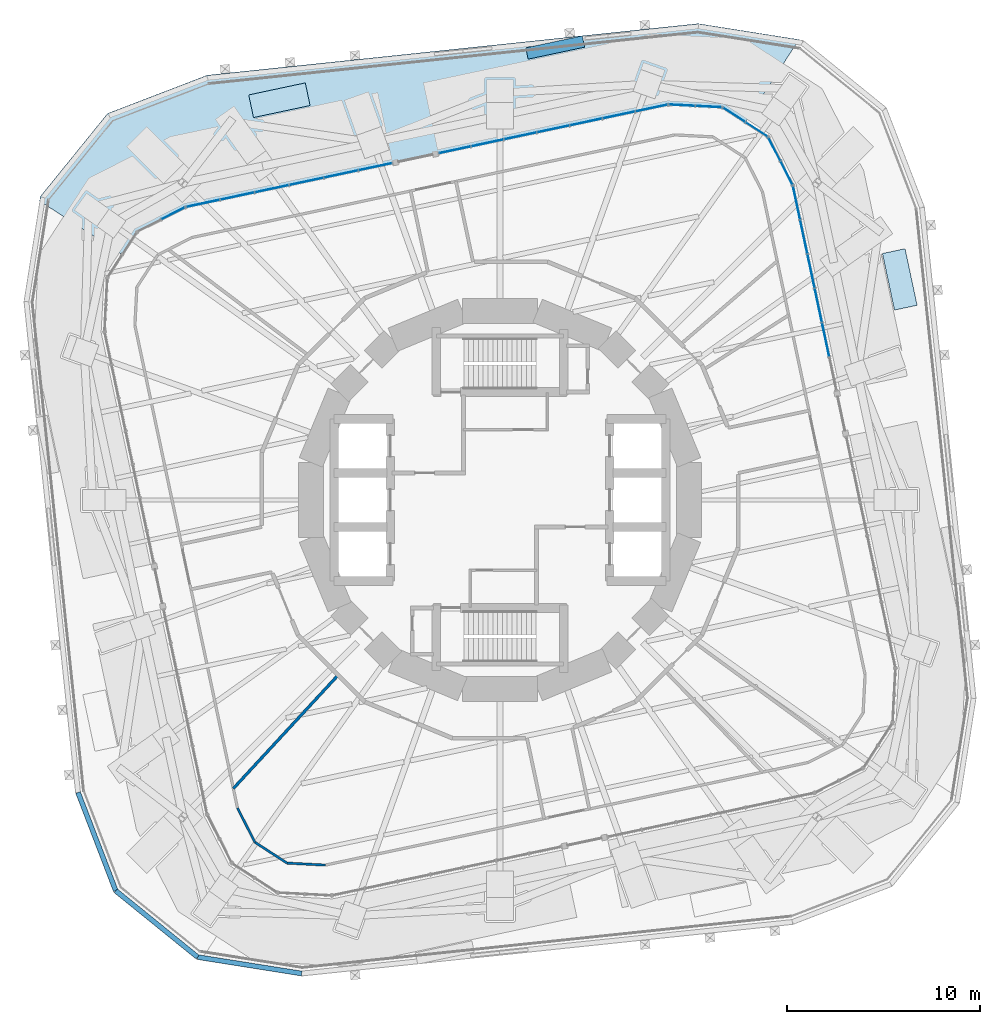
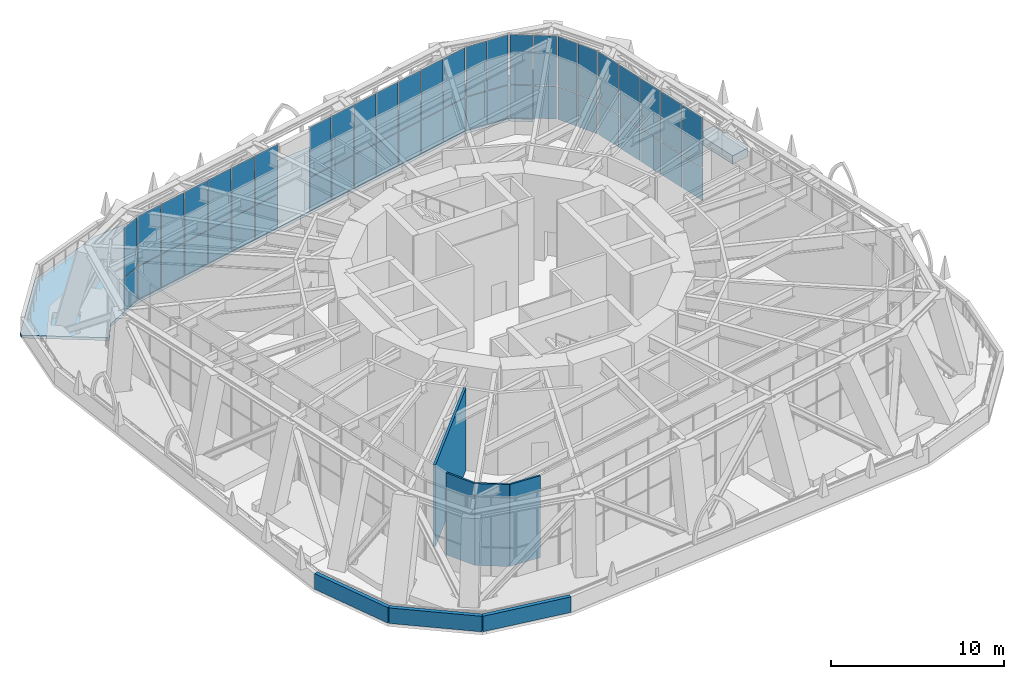
# One storey, part 14 of 23: 53 plates, 7 walls, 1 slab, 7 elements without a shape of their own.
"""IFC4 building model written with IfcOpenShell, lengths in metres."""

import ifcopenshell
import ifcopenshell.guid

model = None  # the IFC model being written
_history = None  # IfcOwnerHistory: only IFC2X3 demands one
_inside = {}  # id of a spatial element -> (the spatial element, [elements in it])
_under = {}  # id of a project, library or spatial element -> (it, [spatial elements below it])
_declared = {}  # id of a project -> (the project, [libraries it declares])
_typed = {}  # id of a type object -> (the type object, [elements of that type])
_made_of = {}  # id of a material, layer set ... -> (it, [elements and type objects made of it])


def new_model(schema):
    """Start an empty IFC model of exactly this schema.

    Asked for "IFC4X3", IfcOpenShell would pick the latest addendum, in which some entities
    have other attributes; the version numbers below select the first issue.
    IFC2X3 requires an IfcOwnerHistory on every rooted entity: one is made here for all.
    """
    global model, _history
    if schema == "IFC4X3":
        model = ifcopenshell.file(schema_version=(4, 3, 0, 0))
    else:
        model = ifcopenshell.file(schema=schema)
    _inside.clear()
    _under.clear()
    _declared.clear()
    _typed.clear()
    _made_of.clear()
    _history = None
    if model.schema == "IFC2X3":
        org = make("IfcOrganization", Name="unknown")
        user = make(
            "IfcPersonAndOrganization",
            ThePerson=make("IfcPerson", FamilyName="unknown"),
            TheOrganization=org,
        )
        app = make(
            "IfcApplication",
            ApplicationDeveloper=org,
            Version="unknown",
            ApplicationFullName="unknown",
            ApplicationIdentifier="unknown",
        )
        _history = make(
            "IfcOwnerHistory",
            OwningUser=user,
            OwningApplication=app,
            ChangeAction="ADDED",
            CreationDate=0,
        )
    return model


def make(cls, **values):
    """One entity of the class cls with the attributes given. An attribute that is None is left unset."""
    return model.create_entity(
        cls, **{name: value for name, value in values.items() if value is not None}
    )


def rooted(cls, **values):
    """An entity with a GlobalId (a new one), such as an element, a storey or a relation."""
    return make(cls, GlobalId=ifcopenshell.guid.new(), OwnerHistory=_history, **values)


def si_unit(unit_type, name, prefix=None):
    """IfcSIUnit, for example si_unit("LENGTHUNIT", "METRE", prefix="MILLI")."""
    return make("IfcSIUnit", UnitType=unit_type, Prefix=prefix, Name=name)


def assignment(units):
    """IfcUnitAssignment: the units of a project."""
    return None if units is None else make("IfcUnitAssignment", Units=units)


def point(xyz):
    """IfcCartesianPoint."""
    return None if xyz is None else make("IfcCartesianPoint", Coordinates=xyz)


def direction(xyz):
    """IfcDirection."""
    return None if xyz is None else make("IfcDirection", DirectionRatios=xyz)


def frame(location, z_axis=None, x_axis=None):
    """IfcAxis2Placement3D, a coordinate frame: its origin and axes. An axis left out is left unset."""
    return make(
        "IfcAxis2Placement3D",
        Location=point(location),
        Axis=direction(z_axis),
        RefDirection=direction(x_axis),
    )


def frame_2d(location, x_axis=None):
    """IfcAxis2Placement2D, a coordinate frame in the plane: its origin and x axis."""
    return make(
        "IfcAxis2Placement2D", Location=point(location), RefDirection=direction(x_axis)
    )


def origin():
    """The frame at (0, 0, 0) with its axes left unset."""
    return frame((0.0, 0.0, 0.0))


def origin_2d():
    """The frame at (0, 0) in the plane with its x axis left unset."""
    return frame_2d((0.0, 0.0))


def place(relative_to, where):
    """IfcLocalPlacement: puts the frame where relative to a parent placement (None: the world)."""
    return make(
        "IfcLocalPlacement", PlacementRelTo=relative_to, RelativePlacement=where
    )


def context(
    kind, dimensions, precision=None, world=None, true_north=None, identifier=None
):
    """IfcGeometricRepresentationContext, for example the 3D "Model" context."""
    return make(
        "IfcGeometricRepresentationContext",
        ContextIdentifier=identifier,
        ContextType=kind,
        CoordinateSpaceDimension=dimensions,
        Precision=precision,
        WorldCoordinateSystem=world,
        TrueNorth=true_north,
    )


def subcontext(parent, identifier, kind, view, scale=None):
    """IfcGeometricRepresentationSubContext, for example "Body" below "Model"."""
    return make(
        "IfcGeometricRepresentationSubContext",
        ContextIdentifier=identifier,
        ContextType=kind,
        ParentContext=parent,
        TargetScale=scale,
        TargetView=view,
    )


def project(units=None, contexts=None):
    """IfcProject with its units and contexts."""
    return rooted(
        "IfcProject",
        Name="project",
        RepresentationContexts=contexts,
        UnitsInContext=assignment(units),
    )


def spatial(cls, under=None, at=None, **own):
    """A site, building, storey or space (cls), placed at a placement, below another one or the project."""
    s = rooted(cls, ObjectPlacement=at, **own)
    if under is not None:
        _under.setdefault(under.id(), (under, []))[1].append(s)
    return s


def polyline(points):
    """IfcPolyline through the points."""
    return make("IfcPolyline", Points=[point(p) for p in points])


def profile(cls, at=None, kind="AREA", **sizes):
    """A parametric profile (cls). Its sizes go by their IFC names, for example OverallWidth=200.0."""
    return make(cls, ProfileType=kind, Position=at, **sizes)


def rectangle(**sizes):
    """IfcRectangleProfileDef."""
    return profile("IfcRectangleProfileDef", **sizes)


def outline(outer, holes=None, kind="AREA"):
    """IfcArbitraryClosedProfileDef: a profile drawn as a closed curve; with holes, ...WithVoids."""
    if holes is None:
        return make("IfcArbitraryClosedProfileDef", ProfileType=kind, OuterCurve=outer)
    return make(
        "IfcArbitraryProfileDefWithVoids",
        ProfileType=kind,
        OuterCurve=outer,
        InnerCurves=holes,
    )


def extrude(swept, where, along, depth):
    """IfcExtrudedAreaSolid: the profile swept, set in the frame where, extruded along a direction by depth."""
    return make(
        "IfcExtrudedAreaSolid",
        SweptArea=swept,
        Position=where,
        ExtrudedDirection=direction(along),
        Depth=depth,
    )


def shape(context_of_items, identifier, shape_type, items):
    """IfcShapeRepresentation: the items that make up one representation, for example the "Body"."""
    return make(
        "IfcShapeRepresentation",
        ContextOfItems=context_of_items,
        RepresentationIdentifier=identifier,
        RepresentationType=shape_type,
        Items=items,
    )


def material(Name=None, Category=None):
    """IfcMaterial."""
    return make("IfcMaterial", Name=Name, Category=Category)


def layer(
    of_material, thickness, ventilated=None, Name=None, Category=None, Priority=None
):
    """IfcMaterialLayer: one layer of a wall or slab, of a material (None: an air gap)."""
    return make(
        "IfcMaterialLayer",
        Material=of_material,
        LayerThickness=thickness,
        IsVentilated=ventilated,
        Name=Name,
        Category=Category,
        Priority=Priority,
    )


def layer_set(layers, Name=None):
    """IfcMaterialLayerSet."""
    return make("IfcMaterialLayerSet", MaterialLayers=layers, LayerSetName=Name)


def made_of(thing, what):
    """Note that an element or type object is made of a material, layer set ...; save() writes the relation."""
    if what is not None:
        _made_of.setdefault(what.id(), (what, []))[1].append(thing)
    return thing


def type_object(cls, material=None, **own):
    """A type object (cls), such as IfcWallType, which elements share."""
    return made_of(rooted(cls, **own), material)


def element(
    cls,
    number,
    at=None,
    inside=None,
    cuts=None,
    type_object=None,
    material=None,
    context=None,
    identifier="Body",
    shape_type=None,
    held_by="IfcProductDefinitionShape",
    body=None,
    shapes=None,
    **own,
):
    """One element of the class cls, such as IfcWall. Its Tag is "e" and its number.

    at: its placement. inside: the storey or other place that contains it. cuts: it is an
    opening in that element (IfcRelVoidsElement). A single representation is given by context,
    identifier, shape_type and body (its items); several are given by shapes. held_by: the class
    of the entity that holds the representations. save() writes the other relations.
    """
    e = rooted(cls, Tag="e%d" % number, ObjectPlacement=at, **own)
    if body is not None:
        shapes = [shape(context, identifier, shape_type, body)]
    if shapes is not None:
        e.Representation = make(held_by, Representations=shapes)
    if inside is not None:
        _inside.setdefault(inside.id(), (inside, []))[1].append(e)
    if cuts is not None:
        rooted(
            "IfcRelVoidsElement", RelatingBuildingElement=cuts, RelatedOpeningElement=e
        )
    if type_object is not None:
        _typed.setdefault(type_object.id(), (type_object, []))[1].append(e)
    return made_of(e, material)


def aggregate(whole, parts):
    """IfcRelAggregates: a whole, such as a stair, and the parts it consists of."""
    return rooted("IfcRelAggregates", RelatingObject=whole, RelatedObjects=parts)


def save(model, path):
    """Write the relations noted so far, then the file.

    IfcRelAggregates (storeys below a building ...), IfcRelContainedInSpatialStructure (elements
    in a storey), IfcRelDefinesByType, IfcRelAssociatesMaterial and IfcRelDeclares: one each for
    every whole, place, type object, material and project.
    """
    for whole, parts in _under.values():
        aggregate(whole, parts)
    for where, things in _inside.values():
        rooted(
            "IfcRelContainedInSpatialStructure",
            RelatedElements=things,
            RelatingStructure=where,
        )
    for kind, things in _typed.values():
        rooted("IfcRelDefinesByType", RelatedObjects=things, RelatingType=kind)
    for what, things in _made_of.values():
        rooted("IfcRelAssociatesMaterial", RelatedObjects=things, RelatingMaterial=what)
    for by, libraries in _declared.values():
        rooted("IfcRelDeclares", RelatingContext=by, RelatedDefinitions=libraries)
    model.write(path)


model = new_model("IFC4")

# Units and contexts
model_context = context("Model", 3, precision=1e-05, world=origin(), true_north=direction((0.0, 1.0)))
body_context = subcontext(model_context, "Body", "Model", "MODEL_VIEW")
ifc_project = project(units=[si_unit("LENGTHUNIT", "METRE"), si_unit("AREAUNIT", "SQUARE_METRE"), si_unit("VOLUMEUNIT", "CUBIC_METRE"), si_unit("PLANEANGLEUNIT", "RADIAN"), si_unit("MASSUNIT", "GRAM", prefix="KILO")], contexts=[model_context])

# Site, building, storey
site_placement = place(None, origin())
site = spatial("IfcSite", under=ifc_project, at=site_placement, CompositionType="ELEMENT")
building_placement = place(site_placement, origin())
building = spatial("IfcBuilding", under=site, at=building_placement, Name="Nakasero Lantern House", CompositionType="ELEMENT")
storey_placement = place(building_placement, frame((0.0, 0.0, 95.14990234375)))
storey = spatial("IfcBuildingStorey", under=building, at=storey_placement, Name="L23", CompositionType="ELEMENT", Elevation=95.14990234375)

# Curtain wall, plates
ifc_material_1 = material(Name="Aluminium 6063-T6 and glass", Category="aluminium")
curtain_wall_type = type_object("IfcCurtainWallType", Name="Sky lounge glazing CW-3", PredefinedType="USERDEFINED", material=ifc_material_1)
curtain_wall_1_placement = place(storey_placement, origin())
curtain_wall_1 = element("IfcCurtainWall", 1, at=curtain_wall_1_placement, inside=storey, type_object=curtain_wall_type, Name="Curtain wall CW-3 L23", ObjectType="STICK CURTAIN WALL", PredefinedType="USERDEFINED")
ifc_material_2 = material(Name="Glass", Category="glass")
ifc_layer_1 = layer(ifc_material_2, 0.028076171875)
ifc_layer_set_1 = layer_set([ifc_layer_1], Name="Glazed panel CW-3")
plate_type_1 = type_object("IfcPlateType", Name="Glazed panel CW-3", PredefinedType="CURTAIN_PANEL", material=ifc_layer_set_1)
plate_1_placement = place(storey_placement, frame((16.8896484375, 8.318359375, 0.06005859375), z_axis=(0.0, 0.0, 1.0), x_axis=(-0.207911690818, 0.978147600734, 0.0)))
plate_1 = element("IfcPlate", 2, at=plate_1_placement, type_object=plate_type_1, Name="CW-3 panel 2.1", PredefinedType="CURTAIN_PANEL", context=body_context, shape_type="SweptSolid", body=[
    extrude(rectangle(XDim=1.756591796875, YDim=0.028076171875, at=origin_2d()), origin(), (0.0, 0.0, 1.0), 2.31005859375),
])
plate_2_placement = place(storey_placement, frame((16.8896484375, 8.318359375, 2.43017578125), z_axis=(0.0, 0.0, 1.0), x_axis=(-0.207911690818, 0.978147600734, 0.0)))
plate_2 = element("IfcPlate", 3, at=plate_2_placement, type_object=plate_type_1, Name="CW-3 panel 2.2", PredefinedType="CURTAIN_PANEL", context=body_context, shape_type="SweptSolid", body=[
    extrude(rectangle(XDim=1.756591796875, YDim=0.028076171875, at=origin_2d()), origin(), (0.0, 0.0, 1.0), 3.510009765625),
])
plate_3_placement = place(storey_placement, frame((16.511962890625, 10.09521484375, 0.06005859375), z_axis=(0.0, 0.0, 1.0), x_axis=(-0.207911690818, 0.978147600734, 0.0)))
plate_3 = element("IfcPlate", 4, at=plate_3_placement, type_object=plate_type_1, Name="CW-3 panel 3.1", PredefinedType="CURTAIN_PANEL", context=body_context, shape_type="SweptSolid", body=[
    extrude(rectangle(XDim=1.756591796875, YDim=0.028076171875, at=origin_2d()), origin(), (0.0, 0.0, 1.0), 2.31005859375),
])
plate_4_placement = place(storey_placement, frame((16.511962890625, 10.09521484375, 2.43017578125), z_axis=(0.0, 0.0, 1.0), x_axis=(-0.207911690818, 0.978147600734, 0.0)))
plate_4 = element("IfcPlate", 5, at=plate_4_placement, type_object=plate_type_1, Name="CW-3 panel 3.2", PredefinedType="CURTAIN_PANEL", context=body_context, shape_type="SweptSolid", body=[
    extrude(rectangle(XDim=1.756591796875, YDim=0.028076171875, at=origin_2d()), origin(), (0.0, 0.0, 1.0), 3.510009765625),
])
plate_5_placement = place(storey_placement, frame((15.756591796875, 13.649169921875, 0.06005859375), z_axis=(0.0, 0.0, 1.0), x_axis=(-0.207911690818, 0.978147600734, 0.0)))
plate_5 = element("IfcPlate", 6, at=plate_5_placement, type_object=plate_type_1, Name="CW-3 panel 5.1", PredefinedType="CURTAIN_PANEL", context=body_context, shape_type="SweptSolid", body=[
    extrude(rectangle(XDim=1.756591796875, YDim=0.028076171875, at=origin_2d()), origin(), (0.0, 0.0, 1.0), 2.31005859375),
])
plate_6_placement = place(storey_placement, frame((15.756591796875, 13.649169921875, 2.43017578125), z_axis=(0.0, 0.0, 1.0), x_axis=(-0.207911690818, 0.978147600734, 0.0)))
plate_6 = element("IfcPlate", 7, at=plate_6_placement, type_object=plate_type_1, Name="CW-3 panel 5.2", PredefinedType="CURTAIN_PANEL", context=body_context, shape_type="SweptSolid", body=[
    extrude(rectangle(XDim=1.756591796875, YDim=0.028076171875, at=origin_2d()), origin(), (0.0, 0.0, 1.0), 3.510009765625),
])

curtain_wall_2_placement = place(storey_placement, origin())
curtain_wall_2 = element("IfcCurtainWall", 8, at=curtain_wall_2_placement, inside=storey, type_object=curtain_wall_type, Name="Curtain wall CW-3 L23", ObjectType="STICK CURTAIN WALL", PredefinedType="USERDEFINED")
plate_7_placement = place(storey_placement, frame((2.75927734375, 19.244140625, 0.06005859375), z_axis=(0.0, 0.0, 1.0), x_axis=(-0.978147600734, -0.207911690818, 0.0)))
plate_7 = element("IfcPlate", 9, at=plate_7_placement, type_object=plate_type_1, Name="CW-3 panel 4.1", PredefinedType="CURTAIN_PANEL", context=body_context, shape_type="SweptSolid", body=[
    extrude(rectangle(XDim=1.682861328125, YDim=0.028076171875, at=origin_2d()), origin(), (0.0, 0.0, 1.0), 2.31005859375),
])
plate_8_placement = place(storey_placement, frame((2.75927734375, 19.244140625, 2.43017578125), z_axis=(0.0, 0.0, 1.0), x_axis=(-0.978147600734, -0.207911690818, 0.0)))
plate_8 = element("IfcPlate", 10, at=plate_8_placement, type_object=plate_type_1, Name="CW-3 panel 4.2", PredefinedType="CURTAIN_PANEL", context=body_context, shape_type="SweptSolid", body=[
    extrude(rectangle(XDim=1.682861328125, YDim=0.028076171875, at=origin_2d()), origin(), (0.0, 0.0, 1.0), 3.510009765625),
])
plate_9_placement = place(storey_placement, frame((-2.34033203125, 18.16015625, 0.06005859375), z_axis=(0.0, 0.0, 1.0), x_axis=(-0.978147600734, -0.207911690818, 0.0)))
plate_9 = element("IfcPlate", 11, at=plate_9_placement, type_object=plate_type_1, Name="CW-3 panel 7.1", PredefinedType="CURTAIN_PANEL", context=body_context, shape_type="SweptSolid", body=[
    extrude(rectangle(XDim=1.65283203125, YDim=0.028076171875, at=origin_2d()), origin(), (0.0, 0.0, 1.0), 2.31005859375),
])
plate_10_placement = place(storey_placement, frame((-2.34033203125, 18.16015625, 2.43017578125), z_axis=(0.0, 0.0, 1.0), x_axis=(-0.978147600734, -0.207911690818, 0.0)))
plate_10 = element("IfcPlate", 12, at=plate_10_placement, type_object=plate_type_1, Name="CW-3 panel 7.2", PredefinedType="CURTAIN_PANEL", context=body_context, shape_type="SweptSolid", body=[
    extrude(rectangle(XDim=1.65283203125, YDim=0.028076171875, at=origin_2d()), origin(), (0.0, 0.0, 1.0), 3.510009765625),
])

curtain_wall_3_placement = place(storey_placement, origin())
curtain_wall_3 = element("IfcCurtainWall", 13, at=curtain_wall_3_placement, inside=storey, type_object=curtain_wall_type, Name="Curtain wall CW-3 L23", ObjectType="STICK CURTAIN WALL", PredefinedType="USERDEFINED")
plate_11_placement = place(storey_placement, frame((-8.244873046875, 16.9052734375, 0.06005859375), z_axis=(0.0, 0.0, 1.0), x_axis=(-0.978147600734, -0.207911690818, 0.0)))
plate_11 = element("IfcPlate", 14, at=plate_11_placement, type_object=plate_type_1, Name="CW-3 panel 2.1", PredefinedType="CURTAIN_PANEL", context=body_context, shape_type="SweptSolid", body=[
    extrude(rectangle(XDim=1.7734375, YDim=0.028076171875, at=origin_2d()), origin(), (0.0, 0.0, 1.0), 2.31005859375),
])
plate_12_placement = place(storey_placement, frame((-8.244873046875, 16.9052734375, 2.43017578125), z_axis=(0.0, 0.0, 1.0), x_axis=(-0.978147600734, -0.207911690818, 0.0)))
plate_12 = element("IfcPlate", 15, at=plate_12_placement, type_object=plate_type_1, Name="CW-3 panel 2.2", PredefinedType="CURTAIN_PANEL", context=body_context, shape_type="SweptSolid", body=[
    extrude(rectangle(XDim=1.7734375, YDim=0.028076171875, at=origin_2d()), origin(), (0.0, 0.0, 1.0), 3.510009765625),
])
plate_13_placement = place(storey_placement, frame((-10.038330078125, 16.52392578125, 0.06005859375), z_axis=(0.0, 0.0, 1.0), x_axis=(-0.978147600734, -0.207911690818, 0.0)))
plate_13 = element("IfcPlate", 16, at=plate_13_placement, type_object=plate_type_1, Name="CW-3 panel 3.1", PredefinedType="CURTAIN_PANEL", context=body_context, shape_type="SweptSolid", body=[
    extrude(rectangle(XDim=1.7734375, YDim=0.028076171875, at=origin_2d()), origin(), (0.0, 0.0, 1.0), 2.31005859375),
])
plate_14_placement = place(storey_placement, frame((-10.038330078125, 16.52392578125, 2.43017578125), z_axis=(0.0, 0.0, 1.0), x_axis=(-0.978147600734, -0.207911690818, 0.0)))
plate_14 = element("IfcPlate", 17, at=plate_14_placement, type_object=plate_type_1, Name="CW-3 panel 3.2", PredefinedType="CURTAIN_PANEL", context=body_context, shape_type="SweptSolid", body=[
    extrude(rectangle(XDim=1.7734375, YDim=0.028076171875, at=origin_2d()), origin(), (0.0, 0.0, 1.0), 3.510009765625),
])
plate_15_placement = place(storey_placement, frame((-13.624755859375, 15.76171875, 0.06005859375), z_axis=(0.0, 0.0, 1.0), x_axis=(-0.978147600734, -0.207911690818, 0.0)))
plate_15 = element("IfcPlate", 18, at=plate_15_placement, type_object=plate_type_1, Name="CW-3 panel 5.1", PredefinedType="CURTAIN_PANEL", context=body_context, shape_type="SweptSolid", body=[
    extrude(rectangle(XDim=1.7734375, YDim=0.028076171875, at=origin_2d()), origin(), (0.0, 0.0, 1.0), 2.31005859375),
])
plate_16_placement = place(storey_placement, frame((-13.624755859375, 15.76171875, 2.43017578125), z_axis=(0.0, 0.0, 1.0), x_axis=(-0.978147600734, -0.207911690818, 0.0)))
plate_16 = element("IfcPlate", 19, at=plate_16_placement, type_object=plate_type_1, Name="CW-3 panel 5.2", PredefinedType="CURTAIN_PANEL", context=body_context, shape_type="SweptSolid", body=[
    extrude(rectangle(XDim=1.7734375, YDim=0.028076171875, at=origin_2d()), origin(), (0.0, 0.0, 1.0), 3.510009765625),
])

# Plate
ifc_material_3 = material(Name="Aluminium 6063-T6 and insulation", Category="aluminium")
ifc_layer_2 = layer(ifc_material_3, 0.028076171875)
ifc_layer_set_2 = layer_set([ifc_layer_2], Name="Insulated panel CW-3")
plate_type_2 = type_object("IfcPlateType", Name="Insulated panel CW-3", PredefinedType="CURTAIN_PANEL", material=ifc_layer_set_2)
plate_17_placement = place(storey_placement, frame((16.13427734375, 11.872314453125, 0.06005859375), z_axis=(0.0, 0.0, 1.0), x_axis=(-0.207911690818, 0.978147600734, 0.0)))
plate_17 = element("IfcPlate", 20, at=plate_17_placement, type_object=plate_type_2, Name="CW-3 panel 4.1", PredefinedType="CURTAIN_PANEL", context=body_context, shape_type="SweptSolid", body=[
    extrude(rectangle(XDim=1.756591796875, YDim=0.028076171875, at=origin_2d()), origin(), (0.0, 0.0, 1.0), 2.31005859375),
])

plate_18_placement = place(storey_placement, frame((16.13427734375, 11.872314453125, 2.43017578125), z_axis=(0.0, 0.0, 1.0), x_axis=(-0.207911690818, 0.978147600734, 0.0)))
plate_18 = element("IfcPlate", 21, at=plate_18_placement, type_object=plate_type_2, Name="CW-3 panel 4.2", PredefinedType="CURTAIN_PANEL", context=body_context, shape_type="SweptSolid", body=[
    extrude(rectangle(XDim=1.756591796875, YDim=0.028076171875, at=origin_2d()), origin(), (0.0, 0.0, 1.0), 3.510009765625),
])

plate_19_placement = place(storey_placement, frame((15.3818359375, 15.41162109375, 0.06005859375), z_axis=(0.0, 0.0, 1.0), x_axis=(-0.207911690818, 0.978147600734, 0.0)))
plate_19 = element("IfcPlate", 22, at=plate_19_placement, type_object=plate_type_2, Name="CW-3 panel 6.1", PredefinedType="CURTAIN_PANEL", context=body_context, shape_type="SweptSolid", body=[
    extrude(rectangle(XDim=1.7265625, YDim=0.028076171875, at=origin_2d()), origin(), (0.0, 0.0, 1.0), 2.31005859375),
])

plate_20_placement = place(storey_placement, frame((15.3818359375, 15.41162109375, 2.43017578125), z_axis=(0.0, 0.0, 1.0), x_axis=(-0.207911690818, 0.978147600734, 0.0)))
plate_20 = element("IfcPlate", 23, at=plate_20_placement, type_object=plate_type_2, Name="CW-3 panel 6.2", PredefinedType="CURTAIN_PANEL", context=body_context, shape_type="SweptSolid", body=[
    extrude(rectangle(XDim=1.7265625, YDim=0.028076171875, at=origin_2d()), origin(), (0.0, 0.0, 1.0), 3.510009765625),
])

aggregate(curtain_wall_1, [plate_1, plate_2, plate_3, plate_4, plate_17, plate_18, plate_5, plate_6, plate_19, plate_20])

# Curtain wall, plates
curtain_wall_4_placement = place(storey_placement, origin())
curtain_wall_4 = element("IfcCurtainWall", 24, at=curtain_wall_4_placement, inside=storey, type_object=curtain_wall_type, Name="Curtain wall CW-3 L23", ObjectType="STICK CURTAIN WALL", PredefinedType="USERDEFINED")
plate_21_placement = place(storey_placement, frame((14.863037109375, 16.95654296875, 0.06005859375), z_axis=(0.0, 0.0, 1.0), x_axis=(-0.453990499662, 0.891006524228, 0.0)))
plate_21 = element("IfcPlate", 25, at=plate_21_placement, type_object=plate_type_2, Name="CW-3 panel 1.1", PredefinedType="CURTAIN_PANEL", context=body_context, shape_type="SweptSolid", body=[
    extrude(rectangle(XDim=1.320556640625, YDim=0.028076171875, at=origin_2d()), origin(), (0.0, 0.0, 1.0), 2.31005859375),
])
plate_22_placement = place(storey_placement, frame((14.863037109375, 16.95654296875, 2.43017578125), z_axis=(0.0, 0.0, 1.0), x_axis=(-0.453990499662, 0.891006524228, 0.0)))
plate_22 = element("IfcPlate", 26, at=plate_22_placement, type_object=plate_type_2, Name="CW-3 panel 1.2", PredefinedType="CURTAIN_PANEL", context=body_context, shape_type="SweptSolid", body=[
    extrude(rectangle(XDim=1.320556640625, YDim=0.028076171875, at=origin_2d()), origin(), (0.0, 0.0, 1.0), 3.510009765625),
])
plate_23_placement = place(storey_placement, frame((14.236083984375, 18.1865234375, 0.06005859375), z_axis=(0.0, 0.0, 1.0), x_axis=(-0.453990499662, 0.891006524228, 0.0)))
plate_23 = element("IfcPlate", 27, at=plate_23_placement, type_object=plate_type_2, Name="CW-3 panel 2.1", PredefinedType="CURTAIN_PANEL", context=body_context, shape_type="SweptSolid", body=[
    extrude(rectangle(XDim=1.320556640625, YDim=0.028076171875, at=origin_2d()), origin(), (0.0, 0.0, 1.0), 2.31005859375),
])
plate_24_placement = place(storey_placement, frame((14.236083984375, 18.1865234375, 2.43017578125), z_axis=(0.0, 0.0, 1.0), x_axis=(-0.453990499662, 0.891006524228, 0.0)))
plate_24 = element("IfcPlate", 28, at=plate_24_placement, type_object=plate_type_2, Name="CW-3 panel 2.2", PredefinedType="CURTAIN_PANEL", context=body_context, shape_type="SweptSolid", body=[
    extrude(rectangle(XDim=1.320556640625, YDim=0.028076171875, at=origin_2d()), origin(), (0.0, 0.0, 1.0), 3.510009765625),
])
aggregate(curtain_wall_4, [plate_21, plate_22, plate_23, plate_24])

curtain_wall_5_placement = place(storey_placement, origin())
curtain_wall_5 = element("IfcCurtainWall", 29, at=curtain_wall_5_placement, inside=storey, type_object=curtain_wall_type, Name="Curtain wall CW-3 L23", ObjectType="STICK CURTAIN WALL", PredefinedType="USERDEFINED")
plate_25_placement = place(storey_placement, frame((13.30517578125, 19.220703125, 0.06005859375), z_axis=(0.0, 0.0, 1.0), x_axis=(-0.838670568021, 0.544639034898, 0.0)))
plate_25 = element("IfcPlate", 30, at=plate_25_placement, type_object=plate_type_2, Name="CW-3 panel 1.1", PredefinedType="CURTAIN_PANEL", context=body_context, shape_type="SweptSolid", body=[
    extrude(rectangle(XDim=1.320556640625, YDim=0.028076171875, at=origin_2d()), origin(), (0.0, 0.0, 1.0), 2.31005859375),
])
plate_26_placement = place(storey_placement, frame((13.30517578125, 19.220703125, 2.43017578125), z_axis=(0.0, 0.0, 1.0), x_axis=(-0.838670568021, 0.544639034898, 0.0)))
plate_26 = element("IfcPlate", 31, at=plate_26_placement, type_object=plate_type_2, Name="CW-3 panel 1.2", PredefinedType="CURTAIN_PANEL", context=body_context, shape_type="SweptSolid", body=[
    extrude(rectangle(XDim=1.320556640625, YDim=0.028076171875, at=origin_2d()), origin(), (0.0, 0.0, 1.0), 3.510009765625),
])
plate_27_placement = place(storey_placement, frame((12.147216796875, 19.972412109375, 0.06005859375), z_axis=(0.0, 0.0, 1.0), x_axis=(-0.838670568021, 0.544639034898, 0.0)))
plate_27 = element("IfcPlate", 32, at=plate_27_placement, type_object=plate_type_2, Name="CW-3 panel 2.1", PredefinedType="CURTAIN_PANEL", context=body_context, shape_type="SweptSolid", body=[
    extrude(rectangle(XDim=1.320556640625, YDim=0.028076171875, at=origin_2d()), origin(), (0.0, 0.0, 1.0), 2.31005859375),
])
plate_28_placement = place(storey_placement, frame((12.147216796875, 19.972412109375, 2.43017578125), z_axis=(0.0, 0.0, 1.0), x_axis=(-0.838670568021, 0.544639034898, 0.0)))
plate_28 = element("IfcPlate", 33, at=plate_28_placement, type_object=plate_type_2, Name="CW-3 panel 2.2", PredefinedType="CURTAIN_PANEL", context=body_context, shape_type="SweptSolid", body=[
    extrude(rectangle(XDim=1.320556640625, YDim=0.028076171875, at=origin_2d()), origin(), (0.0, 0.0, 1.0), 3.510009765625),
])
aggregate(curtain_wall_5, [plate_25, plate_26, plate_27, plate_28])

curtain_wall_6_placement = place(storey_placement, origin())
curtain_wall_6 = element("IfcCurtainWall", 34, at=curtain_wall_6_placement, inside=storey, type_object=curtain_wall_type, Name="Curtain wall CW-3 L23", ObjectType="STICK CURTAIN WALL", PredefinedType="USERDEFINED")
plate_29_placement = place(storey_placement, frame((10.823974609375, 20.402587890625, 0.06005859375), z_axis=(0.0, 0.0, 1.0), x_axis=(-0.998629534758, 0.052335956173, 0.0)))
plate_29 = element("IfcPlate", 35, at=plate_29_placement, type_object=plate_type_2, Name="CW-3 panel 1.1", PredefinedType="CURTAIN_PANEL", context=body_context, shape_type="SweptSolid", body=[
    extrude(rectangle(XDim=1.320556640625, YDim=0.028076171875, at=origin_2d()), origin(), (0.0, 0.0, 1.0), 2.31005859375),
])
plate_30_placement = place(storey_placement, frame((10.823974609375, 20.402587890625, 2.43017578125), z_axis=(0.0, 0.0, 1.0), x_axis=(-0.998629534758, 0.052335956173, 0.0)))
plate_30 = element("IfcPlate", 36, at=plate_30_placement, type_object=plate_type_2, Name="CW-3 panel 1.2", PredefinedType="CURTAIN_PANEL", context=body_context, shape_type="SweptSolid", body=[
    extrude(rectangle(XDim=1.320556640625, YDim=0.028076171875, at=origin_2d()), origin(), (0.0, 0.0, 1.0), 3.510009765625),
])
plate_31_placement = place(storey_placement, frame((9.4453125, 20.474853515625, 0.06005859375), z_axis=(0.0, 0.0, 1.0), x_axis=(-0.998629534758, 0.052335956173, 0.0)))
plate_31 = element("IfcPlate", 37, at=plate_31_placement, type_object=plate_type_2, Name="CW-3 panel 2.1", PredefinedType="CURTAIN_PANEL", context=body_context, shape_type="SweptSolid", body=[
    extrude(rectangle(XDim=1.320556640625, YDim=0.028076171875, at=origin_2d()), origin(), (0.0, 0.0, 1.0), 2.31005859375),
])
plate_32_placement = place(storey_placement, frame((9.4453125, 20.474853515625, 2.43017578125), z_axis=(0.0, 0.0, 1.0), x_axis=(-0.998629534758, 0.052335956173, 0.0)))
plate_32 = element("IfcPlate", 38, at=plate_32_placement, type_object=plate_type_2, Name="CW-3 panel 2.2", PredefinedType="CURTAIN_PANEL", context=body_context, shape_type="SweptSolid", body=[
    extrude(rectangle(XDim=1.320556640625, YDim=0.028076171875, at=origin_2d()), origin(), (0.0, 0.0, 1.0), 3.510009765625),
])
aggregate(curtain_wall_6, [plate_29, plate_30, plate_31, plate_32])

# Plate
plate_33_placement = place(storey_placement, frame((7.85888671875, 20.328125, 0.06005859375), z_axis=(0.0, 0.0, 1.0), x_axis=(-0.978147600734, -0.207911690818, 0.0)))
plate_33 = element("IfcPlate", 39, at=plate_33_placement, type_object=plate_type_2, Name="CW-3 panel 1.1", PredefinedType="CURTAIN_PANEL", context=body_context, shape_type="SweptSolid", body=[
    extrude(rectangle(XDim=1.65283203125, YDim=0.028076171875, at=origin_2d()), origin(), (0.0, 0.0, 1.0), 2.31005859375),
])

plate_34_placement = place(storey_placement, frame((7.85888671875, 20.328125, 2.43017578125), z_axis=(0.0, 0.0, 1.0), x_axis=(-0.978147600734, -0.207911690818, 0.0)))
plate_34 = element("IfcPlate", 40, at=plate_34_placement, type_object=plate_type_2, Name="CW-3 panel 1.2", PredefinedType="CURTAIN_PANEL", context=body_context, shape_type="SweptSolid", body=[
    extrude(rectangle(XDim=1.65283203125, YDim=0.028076171875, at=origin_2d()), origin(), (0.0, 0.0, 1.0), 3.510009765625),
])

plate_35_placement = place(storey_placement, frame((6.168701171875, 19.968994140625, 0.06005859375), z_axis=(0.0, 0.0, 1.0), x_axis=(-0.978147600734, -0.207911690818, 0.0)))
plate_35 = element("IfcPlate", 41, at=plate_35_placement, type_object=plate_type_2, Name="CW-3 panel 2.1", PredefinedType="CURTAIN_PANEL", context=body_context, shape_type="SweptSolid", body=[
    extrude(rectangle(XDim=1.682861328125, YDim=0.028076171875, at=origin_2d()), origin(), (0.0, 0.0, 1.0), 2.31005859375),
])

plate_36_placement = place(storey_placement, frame((6.168701171875, 19.968994140625, 2.43017578125), z_axis=(0.0, 0.0, 1.0), x_axis=(-0.978147600734, -0.207911690818, 0.0)))
plate_36 = element("IfcPlate", 42, at=plate_36_placement, type_object=plate_type_2, Name="CW-3 panel 2.2", PredefinedType="CURTAIN_PANEL", context=body_context, shape_type="SweptSolid", body=[
    extrude(rectangle(XDim=1.682861328125, YDim=0.028076171875, at=origin_2d()), origin(), (0.0, 0.0, 1.0), 3.510009765625),
])

plate_37_placement = place(storey_placement, frame((4.4638671875, 19.6064453125, 0.06005859375), z_axis=(0.0, 0.0, 1.0), x_axis=(-0.978147600734, -0.207911690818, 0.0)))
plate_37 = element("IfcPlate", 43, at=plate_37_placement, type_object=plate_type_2, Name="CW-3 panel 3.1", PredefinedType="CURTAIN_PANEL", context=body_context, shape_type="SweptSolid", body=[
    extrude(rectangle(XDim=1.682861328125, YDim=0.028076171875, at=origin_2d()), origin(), (0.0, 0.0, 1.0), 2.31005859375),
])

plate_38_placement = place(storey_placement, frame((4.4638671875, 19.6064453125, 2.43017578125), z_axis=(0.0, 0.0, 1.0), x_axis=(-0.978147600734, -0.207911690818, 0.0)))
plate_38 = element("IfcPlate", 44, at=plate_38_placement, type_object=plate_type_2, Name="CW-3 panel 3.2", PredefinedType="CURTAIN_PANEL", context=body_context, shape_type="SweptSolid", body=[
    extrude(rectangle(XDim=1.682861328125, YDim=0.028076171875, at=origin_2d()), origin(), (0.0, 0.0, 1.0), 3.510009765625),
])

plate_39_placement = place(storey_placement, frame((1.054443359375, 18.8818359375, 0.06005859375), z_axis=(0.0, 0.0, 1.0), x_axis=(-0.978147600734, -0.207911690818, 0.0)))
plate_39 = element("IfcPlate", 45, at=plate_39_placement, type_object=plate_type_2, Name="CW-3 panel 5.1", PredefinedType="CURTAIN_PANEL", context=body_context, shape_type="SweptSolid", body=[
    extrude(rectangle(XDim=1.682861328125, YDim=0.028076171875, at=origin_2d()), origin(), (0.0, 0.0, 1.0), 2.31005859375),
])

plate_40_placement = place(storey_placement, frame((1.054443359375, 18.8818359375, 2.43017578125), z_axis=(0.0, 0.0, 1.0), x_axis=(-0.978147600734, -0.207911690818, 0.0)))
plate_40 = element("IfcPlate", 46, at=plate_40_placement, type_object=plate_type_2, Name="CW-3 panel 5.2", PredefinedType="CURTAIN_PANEL", context=body_context, shape_type="SweptSolid", body=[
    extrude(rectangle(XDim=1.682861328125, YDim=0.028076171875, at=origin_2d()), origin(), (0.0, 0.0, 1.0), 3.510009765625),
])

plate_41_placement = place(storey_placement, frame((-0.650390625, 18.51953125, 0.06005859375), z_axis=(0.0, 0.0, 1.0), x_axis=(-0.978147600734, -0.207911690818, 0.0)))
plate_41 = element("IfcPlate", 47, at=plate_41_placement, type_object=plate_type_2, Name="CW-3 panel 6.1", PredefinedType="CURTAIN_PANEL", context=body_context, shape_type="SweptSolid", body=[
    extrude(rectangle(XDim=1.682861328125, YDim=0.028076171875, at=origin_2d()), origin(), (0.0, 0.0, 1.0), 2.31005859375),
])

plate_42_placement = place(storey_placement, frame((-0.650390625, 18.51953125, 2.43017578125), z_axis=(0.0, 0.0, 1.0), x_axis=(-0.978147600734, -0.207911690818, 0.0)))
plate_42 = element("IfcPlate", 48, at=plate_42_placement, type_object=plate_type_2, Name="CW-3 panel 6.2", PredefinedType="CURTAIN_PANEL", context=body_context, shape_type="SweptSolid", body=[
    extrude(rectangle(XDim=1.682861328125, YDim=0.028076171875, at=origin_2d()), origin(), (0.0, 0.0, 1.0), 3.510009765625),
])

aggregate(curtain_wall_2, [plate_33, plate_34, plate_35, plate_36, plate_37, plate_38, plate_7, plate_8, plate_39, plate_40, plate_41, plate_42, plate_9, plate_10])

plate_43_placement = place(storey_placement, frame((-6.46630859375, 17.283203125, 0.06005859375), z_axis=(0.0, 0.0, 1.0), x_axis=(-0.978147600734, -0.207911690818, 0.0)))
plate_43 = element("IfcPlate", 49, at=plate_43_placement, type_object=plate_type_2, Name="CW-3 panel 1.1", PredefinedType="CURTAIN_PANEL", context=body_context, shape_type="SweptSolid", body=[
    extrude(rectangle(XDim=1.743408203125, YDim=0.028076171875, at=origin_2d()), origin(), (0.0, 0.0, 1.0), 2.31005859375),
])

plate_44_placement = place(storey_placement, frame((-6.46630859375, 17.283203125, 2.43017578125), z_axis=(0.0, 0.0, 1.0), x_axis=(-0.978147600734, -0.207911690818, 0.0)))
plate_44 = element("IfcPlate", 50, at=plate_44_placement, type_object=plate_type_2, Name="CW-3 panel 1.2", PredefinedType="CURTAIN_PANEL", context=body_context, shape_type="SweptSolid", body=[
    extrude(rectangle(XDim=1.743408203125, YDim=0.028076171875, at=origin_2d()), origin(), (0.0, 0.0, 1.0), 3.510009765625),
])

plate_45_placement = place(storey_placement, frame((-11.83154296875, 16.142822265625, 0.06005859375), z_axis=(0.0, 0.0, 1.0), x_axis=(-0.978147600734, -0.207911690818, 0.0)))
plate_45 = element("IfcPlate", 51, at=plate_45_placement, type_object=plate_type_2, Name="CW-3 panel 4.1", PredefinedType="CURTAIN_PANEL", context=body_context, shape_type="SweptSolid", body=[
    extrude(rectangle(XDim=1.7734375, YDim=0.028076171875, at=origin_2d()), origin(), (0.0, 0.0, 1.0), 2.31005859375),
])

plate_46_placement = place(storey_placement, frame((-11.83154296875, 16.142822265625, 2.43017578125), z_axis=(0.0, 0.0, 1.0), x_axis=(-0.978147600734, -0.207911690818, 0.0)))
plate_46 = element("IfcPlate", 52, at=plate_46_placement, type_object=plate_type_2, Name="CW-3 panel 4.2", PredefinedType="CURTAIN_PANEL", context=body_context, shape_type="SweptSolid", body=[
    extrude(rectangle(XDim=1.7734375, YDim=0.028076171875, at=origin_2d()), origin(), (0.0, 0.0, 1.0), 3.510009765625),
])

plate_47_placement = place(storey_placement, frame((-15.4033203125, 15.383544921875, 0.06005859375), z_axis=(0.0, 0.0, 1.0), x_axis=(-0.978147600734, -0.207911690818, 0.0)))
plate_47 = element("IfcPlate", 53, at=plate_47_placement, type_object=plate_type_2, Name="CW-3 panel 6.1", PredefinedType="CURTAIN_PANEL", context=body_context, shape_type="SweptSolid", body=[
    extrude(rectangle(XDim=1.743408203125, YDim=0.028076171875, at=origin_2d()), origin(), (0.0, 0.0, 1.0), 2.31005859375),
])

plate_48_placement = place(storey_placement, frame((-15.4033203125, 15.383544921875, 2.43017578125), z_axis=(0.0, 0.0, 1.0), x_axis=(-0.978147600734, -0.207911690818, 0.0)))
plate_48 = element("IfcPlate", 54, at=plate_48_placement, type_object=plate_type_2, Name="CW-3 panel 6.2", PredefinedType="CURTAIN_PANEL", context=body_context, shape_type="SweptSolid", body=[
    extrude(rectangle(XDim=1.743408203125, YDim=0.028076171875, at=origin_2d()), origin(), (0.0, 0.0, 1.0), 3.510009765625),
])

aggregate(curtain_wall_3, [plate_43, plate_44, plate_11, plate_12, plate_13, plate_14, plate_45, plate_46, plate_15, plate_16, plate_47, plate_48])

# Curtain wall, plates
curtain_wall_7_placement = place(storey_placement, origin())
curtain_wall_7 = element("IfcCurtainWall", 55, at=curtain_wall_7_placement, inside=storey, type_object=curtain_wall_type, Name="Curtain wall CW-3 L23", ObjectType="STICK CURTAIN WALL", PredefinedType="USERDEFINED")
plate_49_placement = place(storey_placement, frame((-16.95654296875, 14.863037109375, 0.06005859375), z_axis=(0.0, 0.0, 1.0), x_axis=(-0.891006524228, -0.453990499662, 0.0)))
plate_49 = element("IfcPlate", 56, at=plate_49_placement, type_object=plate_type_2, Name="CW-3 panel 1.1", PredefinedType="CURTAIN_PANEL", context=body_context, shape_type="SweptSolid", body=[
    extrude(rectangle(XDim=1.320556640625, YDim=0.028076171875, at=origin_2d()), origin(), (0.0, 0.0, 1.0), 2.31005859375),
])
plate_50_placement = place(storey_placement, frame((-16.95654296875, 14.863037109375, 2.43017578125), z_axis=(0.0, 0.0, 1.0), x_axis=(-0.891006524228, -0.453990499662, 0.0)))
plate_50 = element("IfcPlate", 57, at=plate_50_placement, type_object=plate_type_2, Name="CW-3 panel 1.2", PredefinedType="CURTAIN_PANEL", context=body_context, shape_type="SweptSolid", body=[
    extrude(rectangle(XDim=1.320556640625, YDim=0.028076171875, at=origin_2d()), origin(), (0.0, 0.0, 1.0), 3.510009765625),
])
aggregate(curtain_wall_7, [plate_49, plate_50])

# Plates
ifc_material_4 = material(Name="Aluminium 6063-T6", Category="aluminium")
ifc_layer_3 = layer(ifc_material_4, 0.60009765625)
ifc_layer_set_3 = layer_set([ifc_layer_3], Name="Sky garden planter 1200x3000")
plate_type_3 = type_object("IfcPlateType", Name="Sky garden planter 1200x3000", PredefinedType="USERDEFINED", material=ifc_layer_set_3)
plate_51_placement = place(storey_placement, frame((20.734375, 11.44091796875, 0.0), z_axis=(0.0, 0.0, 1.0), x_axis=(0.978147600734, 0.207911690818, 0.0)))
element("IfcPlate", 58, at=plate_51_placement, inside=storey, type_object=plate_type_3, Name="Sky garden PLANTER L23 01", ObjectType="PLANTER", PredefinedType="USERDEFINED", context=body_context, shape_type="SweptSolid", body=[
    extrude(rectangle(XDim=1.19970703125, YDim=3.0, at=origin_2d()), origin(), (0.0, 0.0, 1.0), 0.60009765625),
])
plate_52_placement = place(storey_placement, frame((2.86328125, 23.46826171875, 0.0), z_axis=(0.0, 0.0, 1.0), x_axis=(-0.207911690818, 0.978147600734, 0.0)))
element("IfcPlate", 59, at=plate_52_placement, inside=storey, type_object=plate_type_3, Name="Sky garden PLANTER L23 10", ObjectType="PLANTER", PredefinedType="USERDEFINED", context=body_context, shape_type="SweptSolid", body=[
    extrude(rectangle(XDim=0.60009765625, YDim=3.0, at=origin_2d()), origin(), (0.0, 0.0, 1.0), 0.60009765625),
])
plate_53_placement = place(storey_placement, frame((-11.44091796875, 20.734375, 0.0), z_axis=(0.0, 0.0, 1.0), x_axis=(-0.207911690818, 0.978147600734, 0.0)))
element("IfcPlate", 60, at=plate_53_placement, inside=storey, type_object=plate_type_3, Name="Sky garden PLANTER L23 11", ObjectType="PLANTER", PredefinedType="USERDEFINED", context=body_context, shape_type="SweptSolid", body=[
    extrude(rectangle(XDim=1.19970703125, YDim=3.0, at=origin_2d()), origin(), (0.0, 0.0, 1.0), 0.60009765625),
])

# Slab
ifc_material_5 = material(Name="Concrete C35/45", Category="concrete")
ifc_layer_4 = layer(ifc_material_5, 0.199951171875)
ifc_layer_set_4 = layer_set([ifc_layer_4], Name="Sky garden terrace slab 200")
slab_type = type_object("IfcSlabType", Name="Sky garden terrace slab 200", PredefinedType="USERDEFINED", material=ifc_layer_set_4)
slab_placement = place(storey_placement, frame((0.0, 0.0, -0.199951171875)))
element("IfcSlab", 61, at=slab_placement, inside=storey, type_object=slab_type, Name="Sky garden terrace L23 N", ObjectType="TERRACE", PredefinedType="USERDEFINED", context=body_context, shape_type="SweptSolid", body=[
    extrude(outline(polyline([(-23.8427734375, 15.743896484375), (-23.880126953125, 15.508056640625), (-19.5966796875, 12.72607421875), (-18.828369140625, 13.9091796875), (-16.314697265625, 15.18994140625), (8.725830078125, 20.512451171875), (11.543212890625, 20.36474609375), (12.72607421875, 19.5966796875), (15.508056640625, 23.880126953125), (10.2734375, 24.709228515625), (-15.186279296875, 22.033203125), (-20.357177734375, 20.04833984375), (-23.8427734375, 15.743896484375)])), origin(), (0.0, 0.0, 1.0), 0.199951171875),
])

# Walls
ifc_material_6 = material(Name="Aluminium 6063-T6 and glass", Category="aluminium")
ifc_layer_5 = layer(ifc_material_6, 0.1201171875)
ifc_layer_set_5 = layer_set([ifc_layer_5], Name="Glazed screen 120")
wall_type_1 = type_object("IfcWallType", Name="Glazed screen 120", PredefinedType="PARTITIONING", material=ifc_layer_set_5)
wall_1_placement = place(storey_placement, frame((-13.61376953125, -15.979736328125, 0.0), z_axis=(0.0, 0.0, 1.0), x_axis=(0.45403254062, -0.89098510204, 0.0)))
element("IfcWall", 62, at=wall_1_placement, inside=storey, type_object=wall_type_1, Name="Glazed screen L23 WG2C1", PredefinedType="PARTITIONING", context=body_context, shape_type="SweptSolid", body=[
    extrude(rectangle(XDim=1.98681640625, YDim=0.1201171875, at=frame_2d((0.993408203125, 0.0))), origin(), (0.0, 0.0, 1.0), 5.800048828125),
])
wall_2_placement = place(storey_placement, frame((-12.711669921875, -17.75, 0.0), z_axis=(0.0, 0.0, 1.0), x_axis=(0.838662499482, -0.544651459157, 0.0)))
element("IfcWall", 63, at=wall_2_placement, inside=storey, type_object=wall_type_1, Name="Glazed screen L23 WG2C2", PredefinedType="PARTITIONING", context=body_context, shape_type="SweptSolid", body=[
    extrude(rectangle(XDim=1.987060546875, YDim=0.1201171875, at=frame_2d((0.99365234375, 0.0))), origin(), (0.0, 0.0, 1.0), 5.800048828125),
])
wall_3_placement = place(storey_placement, frame((-11.045166015625, -18.832275390625, 0.0), z_axis=(0.0, 0.0, 1.0), x_axis=(0.998629008233, -0.052346001908, 0.0)))
element("IfcWall", 64, at=wall_3_placement, inside=storey, type_object=wall_type_1, Name="Glazed screen L23 WG2C3", PredefinedType="PARTITIONING", context=body_context, shape_type="SweptSolid", body=[
    extrude(rectangle(XDim=1.98681640625, YDim=0.1201171875, at=frame_2d((0.993408203125, 0.0))), origin(), (0.0, 0.0, 1.0), 5.800048828125),
])
ifc_material_7 = material(Name="Concrete C35/45", Category="concrete")
ifc_layer_6 = layer(ifc_material_7, 0.25)
ifc_layer_set_6 = layer_set([ifc_layer_6], Name="Parapet 250")
wall_type_2 = type_object("IfcWallType", Name="Parapet 250", PredefinedType="SOLIDWALL", material=ifc_layer_set_6)
wall_4_placement = place(storey_placement, frame((-21.884033203125, -15.170654296875, 0.0), z_axis=(0.0, 0.0, 1.0), x_axis=(0.358358884793, -0.933583906079, 0.0)))
element("IfcWall", 65, at=wall_4_placement, inside=storey, type_object=wall_type_2, Name="Parapet L23 PP2C1", PredefinedType="SOLIDWALL", context=body_context, shape_type="SweptSolid", body=[
    extrude(rectangle(XDim=5.461181640625, YDim=0.25, at=frame_2d((2.73046875, 0.0))), origin(), (0.0, 0.0, 1.0), 1.10009765625),
])
wall_5_placement = place(storey_placement, frame((-19.927001953125, -20.26904296875, 0.0), z_axis=(0.0, 0.0, 1.0), x_axis=(0.777134500863, -0.629334543442, 0.0)))
element("IfcWall", 66, at=wall_5_placement, inside=storey, type_object=wall_type_2, Name="Parapet L23 PP2C2", PredefinedType="SOLIDWALL", context=body_context, shape_type="SweptSolid", body=[
    extrude(rectangle(XDim=5.4609375, YDim=0.25, at=frame_2d((2.73046875, 0.0))), origin(), (0.0, 0.0, 1.0), 1.10009765625),
])
wall_6_placement = place(storey_placement, frame((-15.68310546875, -23.705810546875, 0.0), z_axis=(0.0, 0.0, 1.0), x_axis=(0.987690729142, -0.156419383601, 0.0)))
element("IfcWall", 67, at=wall_6_placement, inside=storey, type_object=wall_type_2, Name="Parapet L23 PP2C3", PredefinedType="SOLIDWALL", context=body_context, shape_type="SweptSolid", body=[
    extrude(rectangle(XDim=5.461181640625, YDim=0.25, at=frame_2d((2.73046875, 0.0))), origin(), (0.0, 0.0, 1.0), 1.10009765625),
])
ifc_material_8 = material(Name="Blockwork", Category="masonry")
ifc_layer_7 = layer(ifc_material_8, 0.14990234375)
ifc_layer_set_7 = layer_set([ifc_layer_7], Name="Party wall 150")
wall_type_3 = type_object("IfcWallType", Name="Party wall 150", PredefinedType="PARTITIONING", material=ifc_layer_set_7)
wall_7_placement = place(storey_placement, frame((-8.394775390625, -9.081787109375, 0.0), z_axis=(0.0, 0.0, 1.0), x_axis=(-0.678770011531, -0.734350918462, 0.0)))
element("IfcWall", 68, at=wall_7_placement, inside=storey, type_object=wall_type_3, Name="Party wall L23 TD20", PredefinedType="PARTITIONING", context=body_context, shape_type="SweptSolid", body=[
    extrude(rectangle(XDim=8.007568359375, YDim=0.14990234375, at=frame_2d((4.00390625, 0.0))), origin(), (0.0, 0.0, 1.0), 5.800048828125),
])

save(model, "model.ifc")
